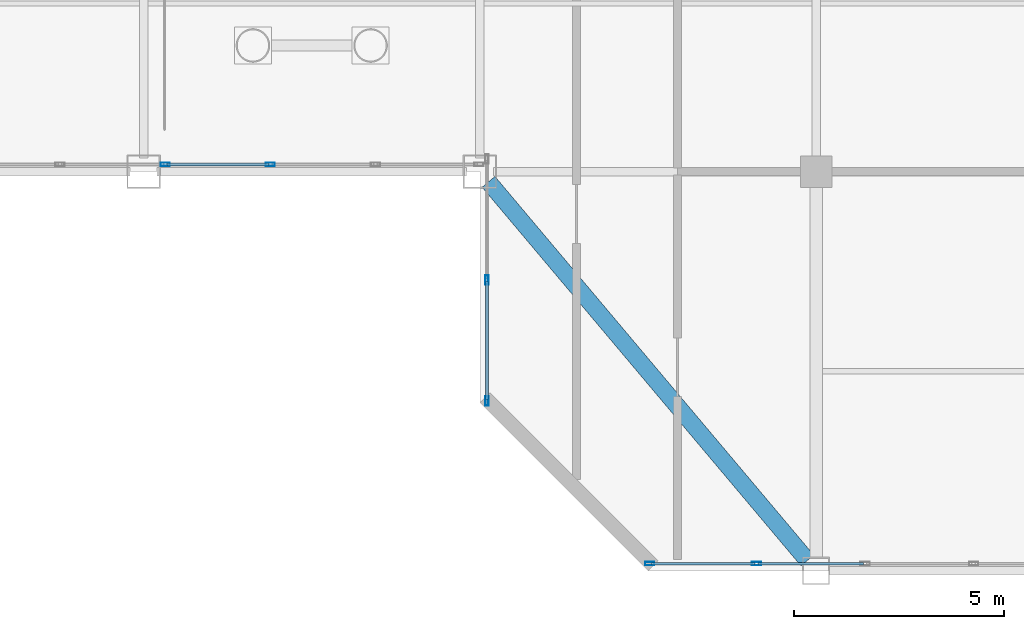
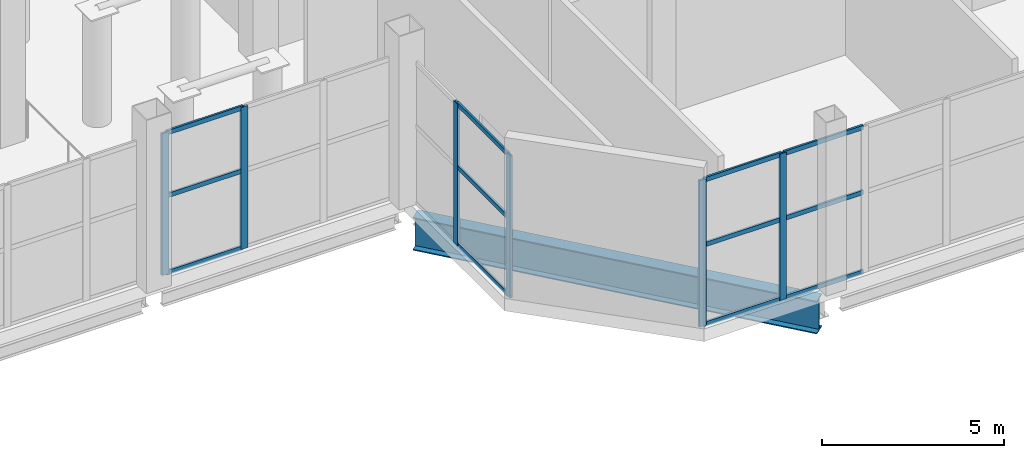
# One storey, part 3 of 18: 18 members, 1 beam, 3 elements without a shape of their own.
"""IFC4 building model written with IfcOpenShell, lengths in metres."""

import ifcopenshell
import ifcopenshell.guid

model = None  # the IFC model being written
_history = None  # IfcOwnerHistory: only IFC2X3 demands one
_inside = {}  # id of a spatial element -> (the spatial element, [elements in it])
_under = {}  # id of a project, library or spatial element -> (it, [spatial elements below it])
_declared = {}  # id of a project -> (the project, [libraries it declares])
_typed = {}  # id of a type object -> (the type object, [elements of that type])
_made_of = {}  # id of a material, layer set ... -> (it, [elements and type objects made of it])


def new_model(schema):
    """Start an empty IFC model of exactly this schema.

    Asked for "IFC4X3", IfcOpenShell would pick the latest addendum, in which some entities
    have other attributes; the version numbers below select the first issue.
    IFC2X3 requires an IfcOwnerHistory on every rooted entity: one is made here for all.
    """
    global model, _history
    if schema == "IFC4X3":
        model = ifcopenshell.file(schema_version=(4, 3, 0, 0))
    else:
        model = ifcopenshell.file(schema=schema)
    _inside.clear()
    _under.clear()
    _declared.clear()
    _typed.clear()
    _made_of.clear()
    _history = None
    if model.schema == "IFC2X3":
        org = make("IfcOrganization", Name="unknown")
        user = make(
            "IfcPersonAndOrganization",
            ThePerson=make("IfcPerson", FamilyName="unknown"),
            TheOrganization=org,
        )
        app = make(
            "IfcApplication",
            ApplicationDeveloper=org,
            Version="unknown",
            ApplicationFullName="unknown",
            ApplicationIdentifier="unknown",
        )
        _history = make(
            "IfcOwnerHistory",
            OwningUser=user,
            OwningApplication=app,
            ChangeAction="ADDED",
            CreationDate=0,
        )
    return model


def make(cls, **values):
    """One entity of the class cls with the attributes given. An attribute that is None is left unset."""
    return model.create_entity(
        cls, **{name: value for name, value in values.items() if value is not None}
    )


def rooted(cls, **values):
    """An entity with a GlobalId (a new one), such as an element, a storey or a relation."""
    return make(cls, GlobalId=ifcopenshell.guid.new(), OwnerHistory=_history, **values)


def si_unit(unit_type, name, prefix=None):
    """IfcSIUnit, for example si_unit("LENGTHUNIT", "METRE", prefix="MILLI")."""
    return make("IfcSIUnit", UnitType=unit_type, Prefix=prefix, Name=name)


def assignment(units):
    """IfcUnitAssignment: the units of a project."""
    return None if units is None else make("IfcUnitAssignment", Units=units)


def point(xyz):
    """IfcCartesianPoint."""
    return None if xyz is None else make("IfcCartesianPoint", Coordinates=xyz)


def direction(xyz):
    """IfcDirection."""
    return None if xyz is None else make("IfcDirection", DirectionRatios=xyz)


def frame(location, z_axis=None, x_axis=None):
    """IfcAxis2Placement3D, a coordinate frame: its origin and axes. An axis left out is left unset."""
    return make(
        "IfcAxis2Placement3D",
        Location=point(location),
        Axis=direction(z_axis),
        RefDirection=direction(x_axis),
    )


def frame_2d(location, x_axis=None):
    """IfcAxis2Placement2D, a coordinate frame in the plane: its origin and x axis."""
    return make(
        "IfcAxis2Placement2D", Location=point(location), RefDirection=direction(x_axis)
    )


def origin():
    """The frame at (0, 0, 0) with its axes left unset."""
    return frame((0.0, 0.0, 0.0))


def origin_2d():
    """The frame at (0, 0) in the plane with its x axis left unset."""
    return frame_2d((0.0, 0.0))


def place(relative_to, where):
    """IfcLocalPlacement: puts the frame where relative to a parent placement (None: the world)."""
    return make(
        "IfcLocalPlacement", PlacementRelTo=relative_to, RelativePlacement=where
    )


def context(
    kind, dimensions, precision=None, world=None, true_north=None, identifier=None
):
    """IfcGeometricRepresentationContext, for example the 3D "Model" context."""
    return make(
        "IfcGeometricRepresentationContext",
        ContextIdentifier=identifier,
        ContextType=kind,
        CoordinateSpaceDimension=dimensions,
        Precision=precision,
        WorldCoordinateSystem=world,
        TrueNorth=true_north,
    )


def subcontext(parent, identifier, kind, view, scale=None):
    """IfcGeometricRepresentationSubContext, for example "Body" below "Model"."""
    return make(
        "IfcGeometricRepresentationSubContext",
        ContextIdentifier=identifier,
        ContextType=kind,
        ParentContext=parent,
        TargetScale=scale,
        TargetView=view,
    )


def project(units=None, contexts=None):
    """IfcProject with its units and contexts."""
    return rooted(
        "IfcProject",
        Name="project",
        RepresentationContexts=contexts,
        UnitsInContext=assignment(units),
    )


def spatial(cls, under=None, at=None, **own):
    """A site, building, storey or space (cls), placed at a placement, below another one or the project."""
    s = rooted(cls, ObjectPlacement=at, **own)
    if under is not None:
        _under.setdefault(under.id(), (under, []))[1].append(s)
    return s


def profile(cls, at=None, kind="AREA", **sizes):
    """A parametric profile (cls). Its sizes go by their IFC names, for example OverallWidth=200.0."""
    return make(cls, ProfileType=kind, Position=at, **sizes)


def hollow_rectangle(**sizes):
    """IfcRectangleHollowProfileDef."""
    return profile("IfcRectangleHollowProfileDef", **sizes)


def i_section(**sizes):
    """IfcIShapeProfileDef."""
    return profile("IfcIShapeProfileDef", **sizes)


def extrude(swept, where, along, depth):
    """IfcExtrudedAreaSolid: the profile swept, set in the frame where, extruded along a direction by depth."""
    return make(
        "IfcExtrudedAreaSolid",
        SweptArea=swept,
        Position=where,
        ExtrudedDirection=direction(along),
        Depth=depth,
    )


def shape(context_of_items, identifier, shape_type, items):
    """IfcShapeRepresentation: the items that make up one representation, for example the "Body"."""
    return make(
        "IfcShapeRepresentation",
        ContextOfItems=context_of_items,
        RepresentationIdentifier=identifier,
        RepresentationType=shape_type,
        Items=items,
    )


def material(Name=None, Category=None):
    """IfcMaterial."""
    return make("IfcMaterial", Name=Name, Category=Category)


def layer(
    of_material, thickness, ventilated=None, Name=None, Category=None, Priority=None
):
    """IfcMaterialLayer: one layer of a wall or slab, of a material (None: an air gap)."""
    return make(
        "IfcMaterialLayer",
        Material=of_material,
        LayerThickness=thickness,
        IsVentilated=ventilated,
        Name=Name,
        Category=Category,
        Priority=Priority,
    )


def layer_set(layers, Name=None):
    """IfcMaterialLayerSet."""
    return make("IfcMaterialLayerSet", MaterialLayers=layers, LayerSetName=Name)


def material_profile(
    of_material, cross_section, Name=None, Category=None, Priority=None
):
    """IfcMaterialProfile: a cross section and its material."""
    return make(
        "IfcMaterialProfile",
        Name=Name,
        Material=of_material,
        Profile=cross_section,
        Priority=Priority,
        Category=Category,
    )


def profile_set(profiles, Name=None, composite=None):
    """IfcMaterialProfileSet."""
    return make(
        "IfcMaterialProfileSet",
        Name=Name,
        MaterialProfiles=profiles,
        CompositeProfile=composite,
    )


def made_of(thing, what):
    """Note that an element or type object is made of a material, layer set ...; save() writes the relation."""
    if what is not None:
        _made_of.setdefault(what.id(), (what, []))[1].append(thing)
    return thing


def type_object(cls, material=None, **own):
    """A type object (cls), such as IfcWallType, which elements share."""
    return made_of(rooted(cls, **own), material)


def element(
    cls,
    number,
    at=None,
    inside=None,
    cuts=None,
    type_object=None,
    material=None,
    context=None,
    identifier="Body",
    shape_type=None,
    held_by="IfcProductDefinitionShape",
    body=None,
    shapes=None,
    **own,
):
    """One element of the class cls, such as IfcWall. Its Tag is "e" and its number.

    at: its placement. inside: the storey or other place that contains it. cuts: it is an
    opening in that element (IfcRelVoidsElement). A single representation is given by context,
    identifier, shape_type and body (its items); several are given by shapes. held_by: the class
    of the entity that holds the representations. save() writes the other relations.
    """
    e = rooted(cls, Tag="e%d" % number, ObjectPlacement=at, **own)
    if body is not None:
        shapes = [shape(context, identifier, shape_type, body)]
    if shapes is not None:
        e.Representation = make(held_by, Representations=shapes)
    if inside is not None:
        _inside.setdefault(inside.id(), (inside, []))[1].append(e)
    if cuts is not None:
        rooted(
            "IfcRelVoidsElement", RelatingBuildingElement=cuts, RelatedOpeningElement=e
        )
    if type_object is not None:
        _typed.setdefault(type_object.id(), (type_object, []))[1].append(e)
    return made_of(e, material)


def aggregate(whole, parts):
    """IfcRelAggregates: a whole, such as a stair, and the parts it consists of."""
    return rooted("IfcRelAggregates", RelatingObject=whole, RelatedObjects=parts)


def save(model, path):
    """Write the relations noted so far, then the file.

    IfcRelAggregates (storeys below a building ...), IfcRelContainedInSpatialStructure (elements
    in a storey), IfcRelDefinesByType, IfcRelAssociatesMaterial and IfcRelDeclares: one each for
    every whole, place, type object, material and project.
    """
    for whole, parts in _under.values():
        aggregate(whole, parts)
    for where, things in _inside.values():
        rooted(
            "IfcRelContainedInSpatialStructure",
            RelatedElements=things,
            RelatingStructure=where,
        )
    for kind, things in _typed.values():
        rooted("IfcRelDefinesByType", RelatedObjects=things, RelatingType=kind)
    for what, things in _made_of.values():
        rooted("IfcRelAssociatesMaterial", RelatedObjects=things, RelatingMaterial=what)
    for by, libraries in _declared.values():
        rooted("IfcRelDeclares", RelatingContext=by, RelatedDefinitions=libraries)
    model.write(path)


model = new_model("IFC4")

# Units and contexts
model_context = context("Model", 3, precision=1e-05, world=origin(), true_north=direction((0.0, 1.0)))
body_context = subcontext(model_context, "Body", "Model", "MODEL_VIEW")
ifc_project = project(units=[si_unit("LENGTHUNIT", "METRE"), si_unit("AREAUNIT", "SQUARE_METRE"), si_unit("VOLUMEUNIT", "CUBIC_METRE"), si_unit("PLANEANGLEUNIT", "RADIAN"), si_unit("MASSUNIT", "GRAM", prefix="KILO")], contexts=[model_context])

# Site, building, storey
site_placement = place(None, origin())
site = spatial("IfcSite", under=ifc_project, at=site_placement, CompositionType="ELEMENT")
building_placement = place(site_placement, origin())
building = spatial("IfcBuilding", under=site, at=building_placement, Name="Qianrong Seaharbour Tower", CompositionType="ELEMENT")
storey_placement = place(building_placement, frame((0.0, 0.0, 367.199951171875)))
storey = spatial("IfcBuildingStorey", under=building, at=storey_placement, Name="L89", CompositionType="ELEMENT", Elevation=367.199951171875)

# Beam
ifc_material_1 = material(Name="Structural steel SN490B", Category="steel")
ifc_material_profile_1 = material_profile(ifc_material_1, i_section(OverallWidth=0.39990234375, OverallDepth=1.10009765625, WebThickness=0.02001953125, FlangeThickness=0.035888671875, at=origin_2d()), Name="BH1100x400x20x36")
ifc_profile_set_1 = profile_set([ifc_material_profile_1], Name="Structural steel SN490B")
beam_type = type_object("IfcBeamType", Name="BM-TG-1100", PredefinedType="BEAM", material=ifc_profile_set_1)
beam_placement = place(storey_placement, frame((48.2939453125, 18.744873046875, -0.969970703125), z_axis=(-0.644151063101, 0.764898299061, 0.0), x_axis=(-0.764898299061, -0.644151063101, 0.0)))
element("IfcBeam", 1, at=beam_placement, inside=storey, type_object=beam_type, Name="L89 Chamfer Corner Spandrel Girder G6/GD", PredefinedType="BEAM", context=body_context, shape_type="SweptSolid", body=[
    extrude(i_section(OverallWidth=0.39990234375, OverallDepth=1.10009765625, WebThickness=0.02001953125, FlangeThickness=0.035888671875, at=origin_2d()), origin(), (0.0, 0.0, 1.0), 11.77978515625),
])

# Curtain wall, members
ifc_material_2 = material(Name="Anodised aluminium 6063-T6 and laminated low-e glass", Category="aluminium")
ifc_layer = layer(ifc_material_2, 0.22998046875)
ifc_layer_set = layer_set([ifc_layer], Name="Anodised aluminium 6063-T6 and laminated low-e glass")
curtain_wall_type = type_object("IfcCurtainWallType", Name="CW-SYS-5", PredefinedType="NOTDEFINED", material=ifc_layer_set)
curtain_wall_1_placement = place(storey_placement, origin())
curtain_wall_1 = element("IfcCurtainWall", 2, at=curtain_wall_1_placement, inside=storey, type_object=curtain_wall_type, Name="L89 Venturi Wind-Turbine Shroud Curtain Wall REENTRANT_WEST", PredefinedType="NOTDEFINED")
ifc_material_3 = material(Name="Extruded aluminium 6063-T6", Category="aluminium")
ifc_material_profile_2 = material_profile(ifc_material_3, hollow_rectangle(XDim=0.080078125, YDim=0.219970703125, WallThickness=0.0048828125, at=origin_2d()), Name="ALU-MUL-220x80x5")
ifc_profile_set_2 = profile_set([ifc_material_profile_2], Name="Extruded aluminium 6063-T6")
member_type_1 = type_object("IfcMemberType", Name="CW-MUL-220", PredefinedType="MULLION", material=ifc_profile_set_2)
member_1_placement = place(storey_placement, frame((40.669921875, 22.5400390625, 0.0), z_axis=(0.0, 0.0, 1.0), x_axis=(-1.0, 0.0, 0.0)))
member_1 = element("IfcMember", 3, at=member_1_placement, type_object=member_type_1, Name="CW-5 mullion 1", PredefinedType="MULLION", context=body_context, shape_type="SweptSolid", body=[
    extrude(hollow_rectangle(XDim=0.080078125, YDim=0.219970703125, WallThickness=0.0048828125, at=origin_2d()), origin(), (0.0, 0.0, 1.0), 4.75),
])
member_2_placement = place(storey_placement, frame((40.669921875, 25.419921875, 0.0), z_axis=(0.0, 0.0, 1.0), x_axis=(-1.0, 0.0, 0.0)))
member_2 = element("IfcMember", 4, at=member_2_placement, type_object=member_type_1, Name="CW-5 mullion 2", PredefinedType="MULLION", context=body_context, shape_type="SweptSolid", body=[
    extrude(hollow_rectangle(XDim=0.080078125, YDim=0.219970703125, WallThickness=0.0048828125, at=origin_2d()), origin(), (0.0, 0.0, 1.0), 4.75),
])

curtain_wall_2_placement = place(storey_placement, origin())
curtain_wall_2 = element("IfcCurtainWall", 5, at=curtain_wall_2_placement, inside=storey, type_object=curtain_wall_type, Name="L89 Venturi Wind-Turbine Shroud Curtain Wall HARBOUR_RIBBON", PredefinedType="NOTDEFINED")
member_3_placement = place(storey_placement, frame((35.514892578125, 28.169921875, 0.0), z_axis=(0.0, 0.0, 1.0), x_axis=(0.0, -1.0, 0.0)))
member_3 = element("IfcMember", 6, at=member_3_placement, type_object=member_type_1, Name="CW-5 mullion 3", PredefinedType="MULLION", context=body_context, shape_type="SweptSolid", body=[
    extrude(hollow_rectangle(XDim=0.080078125, YDim=0.219970703125, WallThickness=0.0048828125, at=origin_2d()), origin(), (0.0, 0.0, 1.0), 4.75),
])
member_4_placement = place(storey_placement, frame((33.012451171875, 28.169921875, 0.0), z_axis=(0.0, 0.0, 1.0), x_axis=(0.0, -1.0, 0.0)))
member_4 = element("IfcMember", 7, at=member_4_placement, type_object=member_type_1, Name="CW-5 mullion 4", PredefinedType="MULLION", context=body_context, shape_type="SweptSolid", body=[
    extrude(hollow_rectangle(XDim=0.080078125, YDim=0.219970703125, WallThickness=0.0048828125, at=origin_2d()), origin(), (0.0, 0.0, 1.0), 4.75),
])

curtain_wall_3_placement = place(storey_placement, origin())
curtain_wall_3 = element("IfcCurtainWall", 8, at=curtain_wall_3_placement, inside=storey, type_object=curtain_wall_type, Name="L89 Venturi Wind-Turbine Shroud Curtain Wall SOUTH_TIP", PredefinedType="NOTDEFINED")
member_5_placement = place(storey_placement, frame((47.083251953125, 18.669921875, 0.0), z_axis=(0.0, 0.0, 1.0), x_axis=(0.0, -1.0, 0.0)))
member_5 = element("IfcMember", 9, at=member_5_placement, type_object=member_type_1, Name="CW-5 mullion 6", PredefinedType="MULLION", context=body_context, shape_type="SweptSolid", body=[
    extrude(hollow_rectangle(XDim=0.080078125, YDim=0.219970703125, WallThickness=0.0048828125, at=origin_2d()), origin(), (0.0, 0.0, 1.0), 4.900146484375),
])
member_6_placement = place(storey_placement, frame((44.5400390625, 18.669921875, 0.0), z_axis=(0.0, 0.0, 1.0), x_axis=(0.0, -1.0, 0.0)))
member_6 = element("IfcMember", 10, at=member_6_placement, type_object=member_type_1, Name="CW-5 mullion 7", PredefinedType="MULLION", context=body_context, shape_type="SweptSolid", body=[
    extrude(hollow_rectangle(XDim=0.080078125, YDim=0.219970703125, WallThickness=0.0048828125, at=origin_2d()), origin(), (0.0, 0.0, 1.0), 4.900146484375),
])

# Member
ifc_material_profile_3 = material_profile(ifc_material_3, hollow_rectangle(XDim=0.06494140625, YDim=0.14990234375, WallThickness=0.00390625, at=origin_2d()), Name="ALU-TRN-150x65x4")
ifc_profile_set_3 = profile_set([ifc_material_profile_3], Name="Extruded aluminium 6063-T6")
member_type_2 = type_object("IfcMemberType", Name="CW-TRN-150", PredefinedType="USERDEFINED", material=ifc_profile_set_3)
member_7_placement = place(storey_placement, frame((40.669921875, 22.580078125, 0.032470703125), z_axis=(0.0, 1.0, 0.0), x_axis=(-1.0, 0.0, 0.0)))
member_7 = element("IfcMember", 11, at=member_7_placement, type_object=member_type_2, Name="CW-5 transom 1.1", ObjectType="TRANSOM", PredefinedType="USERDEFINED", context=body_context, shape_type="SweptSolid", body=[
    extrude(hollow_rectangle(XDim=0.06494140625, YDim=0.14990234375, WallThickness=0.00390625, at=origin_2d()), origin(), (0.0, 0.0, 1.0), 2.7998046875),
])

member_8_placement = place(storey_placement, frame((40.669921875, 22.580078125, 2.612548828125), z_axis=(0.0, 1.0, 0.0), x_axis=(-1.0, 0.0, 0.0)))
member_8 = element("IfcMember", 12, at=member_8_placement, type_object=member_type_2, Name="CW-5 transom 1.2", ObjectType="TRANSOM", PredefinedType="USERDEFINED", context=body_context, shape_type="SweptSolid", body=[
    extrude(hollow_rectangle(XDim=0.06494140625, YDim=0.14990234375, WallThickness=0.00390625, at=origin_2d()), origin(), (0.0, 0.0, 1.0), 2.7998046875),
])

member_9_placement = place(storey_placement, frame((40.669921875, 22.580078125, 4.717529296875), z_axis=(0.0, 1.0, 0.0), x_axis=(-1.0, 0.0, 0.0)))
member_9 = element("IfcMember", 13, at=member_9_placement, type_object=member_type_2, Name="CW-5 transom 1.3", ObjectType="TRANSOM", PredefinedType="USERDEFINED", context=body_context, shape_type="SweptSolid", body=[
    extrude(hollow_rectangle(XDim=0.06494140625, YDim=0.14990234375, WallThickness=0.00390625, at=origin_2d()), origin(), (0.0, 0.0, 1.0), 2.7998046875),
])

aggregate(curtain_wall_1, [member_1, member_2, member_7, member_8, member_9])

member_10_placement = place(storey_placement, frame((35.47509765625, 28.169921875, 0.032470703125), z_axis=(-1.0, 0.0, 0.0), x_axis=(0.0, -1.0, 0.0)))
member_10 = element("IfcMember", 14, at=member_10_placement, type_object=member_type_2, Name="CW-5 transom 3.1", ObjectType="TRANSOM", PredefinedType="USERDEFINED", context=body_context, shape_type="SweptSolid", body=[
    extrude(hollow_rectangle(XDim=0.06494140625, YDim=0.14990234375, WallThickness=0.00390625, at=origin_2d()), origin(), (0.0, 0.0, 1.0), 2.422607421875),
])

member_11_placement = place(storey_placement, frame((35.47509765625, 28.169921875, 2.612548828125), z_axis=(-1.0, 0.0, 0.0), x_axis=(0.0, -1.0, 0.0)))
member_11 = element("IfcMember", 15, at=member_11_placement, type_object=member_type_2, Name="CW-5 transom 3.2", ObjectType="TRANSOM", PredefinedType="USERDEFINED", context=body_context, shape_type="SweptSolid", body=[
    extrude(hollow_rectangle(XDim=0.06494140625, YDim=0.14990234375, WallThickness=0.00390625, at=origin_2d()), origin(), (0.0, 0.0, 1.0), 2.422607421875),
])

member_12_placement = place(storey_placement, frame((35.47509765625, 28.169921875, 4.717529296875), z_axis=(-1.0, 0.0, 0.0), x_axis=(0.0, -1.0, 0.0)))
member_12 = element("IfcMember", 16, at=member_12_placement, type_object=member_type_2, Name="CW-5 transom 3.3", ObjectType="TRANSOM", PredefinedType="USERDEFINED", context=body_context, shape_type="SweptSolid", body=[
    extrude(hollow_rectangle(XDim=0.06494140625, YDim=0.14990234375, WallThickness=0.00390625, at=origin_2d()), origin(), (0.0, 0.0, 1.0), 2.422607421875),
])

aggregate(curtain_wall_2, [member_3, member_4, member_10, member_11, member_12])

member_13_placement = place(storey_placement, frame((49.626708984375, 18.669921875, 0.032470703125), z_axis=(-1.0, 0.0, 0.0), x_axis=(0.0, -1.0, 0.0)))
member_13 = element("IfcMember", 17, at=member_13_placement, type_object=member_type_2, Name="CW-5 transom 5.1", ObjectType="TRANSOM", PredefinedType="USERDEFINED", context=body_context, shape_type="SweptSolid", body=[
    extrude(hollow_rectangle(XDim=0.06494140625, YDim=0.14990234375, WallThickness=0.00390625, at=origin_2d()), origin(), (0.0, 0.0, 1.0), 2.50341796875),
])

member_14_placement = place(storey_placement, frame((49.626708984375, 18.669921875, 2.695068359375), z_axis=(-1.0, 0.0, 0.0), x_axis=(0.0, -1.0, 0.0)))
member_14 = element("IfcMember", 18, at=member_14_placement, type_object=member_type_2, Name="CW-5 transom 5.2", ObjectType="TRANSOM", PredefinedType="USERDEFINED", context=body_context, shape_type="SweptSolid", body=[
    extrude(hollow_rectangle(XDim=0.06494140625, YDim=0.14990234375, WallThickness=0.00390625, at=origin_2d()), origin(), (0.0, 0.0, 1.0), 2.50341796875),
])

member_15_placement = place(storey_placement, frame((49.626708984375, 18.669921875, 4.867431640625), z_axis=(-1.0, 0.0, 0.0), x_axis=(0.0, -1.0, 0.0)))
member_15 = element("IfcMember", 19, at=member_15_placement, type_object=member_type_2, Name="CW-5 transom 5.3", ObjectType="TRANSOM", PredefinedType="USERDEFINED", context=body_context, shape_type="SweptSolid", body=[
    extrude(hollow_rectangle(XDim=0.06494140625, YDim=0.14990234375, WallThickness=0.00390625, at=origin_2d()), origin(), (0.0, 0.0, 1.0), 2.50341796875),
])

member_16_placement = place(storey_placement, frame((47.043212890625, 18.669921875, 0.032470703125), z_axis=(-1.0, 0.0, 0.0), x_axis=(0.0, -1.0, 0.0)))
member_16 = element("IfcMember", 20, at=member_16_placement, type_object=member_type_2, Name="CW-5 transom 6.1", ObjectType="TRANSOM", PredefinedType="USERDEFINED", context=body_context, shape_type="SweptSolid", body=[
    extrude(hollow_rectangle(XDim=0.06494140625, YDim=0.14990234375, WallThickness=0.00390625, at=origin_2d()), origin(), (0.0, 0.0, 1.0), 2.463134765625),
])

member_17_placement = place(storey_placement, frame((47.043212890625, 18.669921875, 2.695068359375), z_axis=(-1.0, 0.0, 0.0), x_axis=(0.0, -1.0, 0.0)))
member_17 = element("IfcMember", 21, at=member_17_placement, type_object=member_type_2, Name="CW-5 transom 6.2", ObjectType="TRANSOM", PredefinedType="USERDEFINED", context=body_context, shape_type="SweptSolid", body=[
    extrude(hollow_rectangle(XDim=0.06494140625, YDim=0.14990234375, WallThickness=0.00390625, at=origin_2d()), origin(), (0.0, 0.0, 1.0), 2.463134765625),
])

member_18_placement = place(storey_placement, frame((47.043212890625, 18.669921875, 4.867431640625), z_axis=(-1.0, 0.0, 0.0), x_axis=(0.0, -1.0, 0.0)))
member_18 = element("IfcMember", 22, at=member_18_placement, type_object=member_type_2, Name="CW-5 transom 6.3", ObjectType="TRANSOM", PredefinedType="USERDEFINED", context=body_context, shape_type="SweptSolid", body=[
    extrude(hollow_rectangle(XDim=0.06494140625, YDim=0.14990234375, WallThickness=0.00390625, at=origin_2d()), origin(), (0.0, 0.0, 1.0), 2.463134765625),
])

aggregate(curtain_wall_3, [member_5, member_6, member_13, member_14, member_15, member_16, member_17, member_18])

save(model, "model.ifc")
